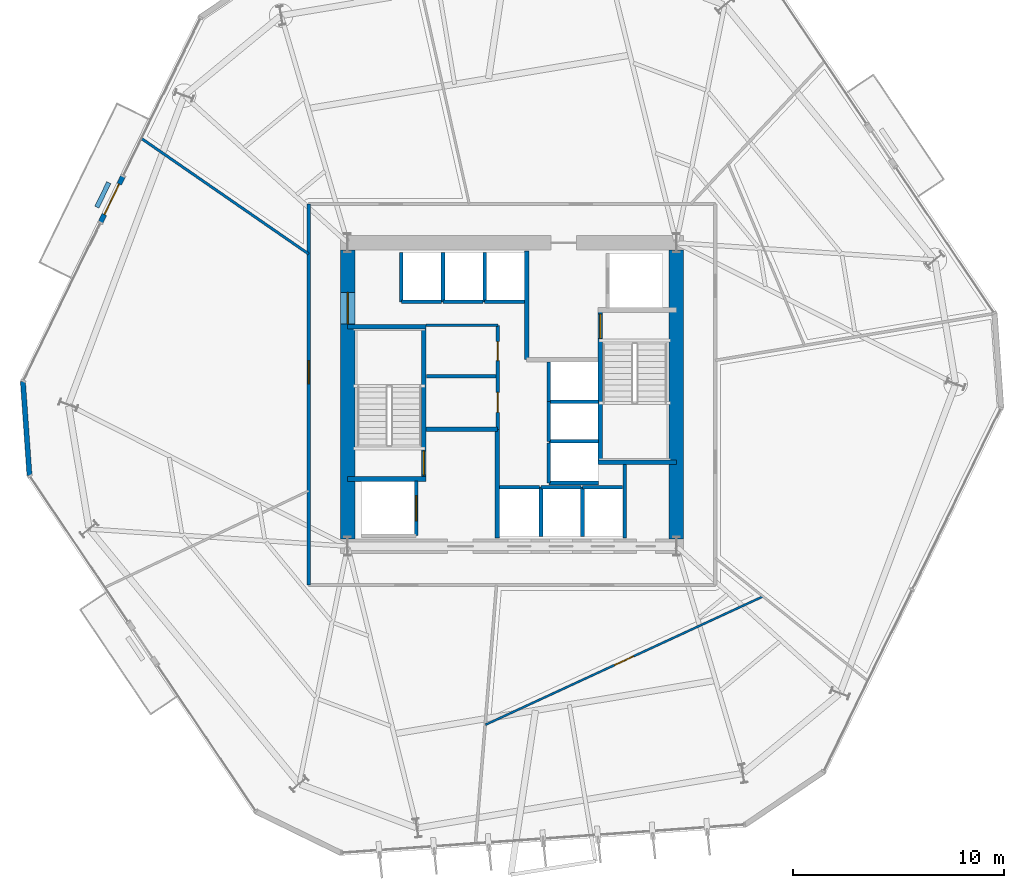
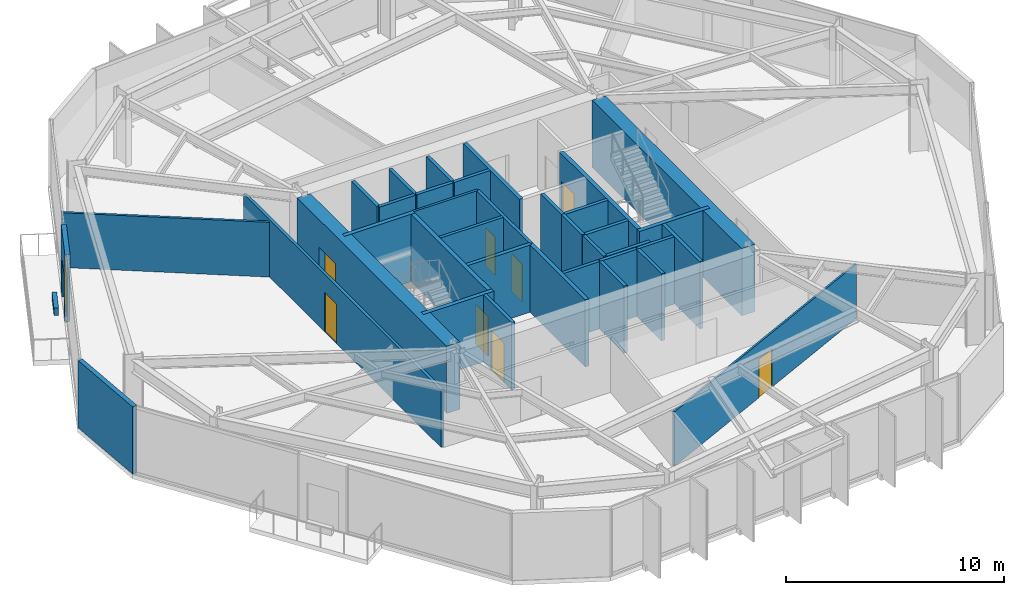
# One storey, part 6 of 10: 38 walls, 9 doors, 9 openings.
"""IFC4 building model written with IfcOpenShell, lengths in metres."""

from ifc_helpers import new_model, si_unit, direction, frame, frame_2d, origin, place, context, subcontext, project, spatial, rectangle, extrude, material, layer, layer_set, type_object, element, fill, save


model = new_model("IFC4")

# Units and contexts
model_context = context("Model", 3, precision=1e-05, world=origin(), true_north=direction((0.0, 1.0)))
body_context = subcontext(model_context, "Body", "Model", "MODEL_VIEW")
ifc_project = project(units=[si_unit("LENGTHUNIT", "METRE"), si_unit("AREAUNIT", "SQUARE_METRE"), si_unit("VOLUMEUNIT", "CUBIC_METRE"), si_unit("PLANEANGLEUNIT", "RADIAN"), si_unit("MASSUNIT", "GRAM", prefix="KILO")], contexts=[model_context])

# Site, building, storey
site_placement = place(None, origin())
site = spatial("IfcSite", under=ifc_project, at=site_placement, CompositionType="ELEMENT")
building_placement = place(site_placement, origin())
building = spatial("IfcBuilding", under=site, at=building_placement, Name="Kranzbogen Civic Tower", CompositionType="ELEMENT")
storey_placement = place(building_placement, frame((0.0, 0.0, 36.0)))
storey = spatial("IfcBuildingStorey", under=building, at=storey_placement, Name="L08", CompositionType="ELEMENT", Elevation=36.0)

# Wall, opening, door
ifc_material_1 = material(Name="Double-Stud Acoustic Gypsum Partition")
ifc_layer_1 = layer(ifc_material_1, 0.14990234375, Name="Double-Stud Acoustic Gypsum Partition")
ifc_layer_set_1 = layer_set([ifc_layer_1], Name="Double-Stud Acoustic Gypsum Partition")
wall_type_1 = type_object("IfcWallType", Name="Acoustic Corridor and Clinical Partition 150 mm", PredefinedType="PARTITIONING", material=ifc_layer_set_1)
wall_1_placement = place(storey_placement, frame((15.35009765625, 15.949951171875, 0.0), z_axis=(0.0, 0.0, 1.0), x_axis=(0.0, 1.0, 0.0)))
wall_1 = element("IfcWall", 1, at=wall_1_placement, inside=storey, type_object=wall_type_1, Name="L08 corridor partition 04", PredefinedType="PARTITIONING", context=body_context, shape_type="SweptSolid", body=[
    extrude(rectangle(XDim=18.10009765625, YDim=0.14990234375, at=frame_2d((9.050048828125, 0.0))), origin(), (0.0, 0.0, 1.0), 3.2099609375),
])
opening_1_placement = place(wall_1_placement, frame((9.55908203125, 0.0, 0.0)))
opening_1 = element("IfcOpeningElement", 2, at=opening_1_placement, cuts=wall_1, Name="Opening D-COR60", PredefinedType="OPENING", context=body_context, shape_type="SweptSolid", body=[
    extrude(rectangle(XDim=1.10009765625, YDim=2.199951171875, at=frame_2d((0.550048828125, 1.10009765625))), frame((0.0, 0.0849609375, 0.0), z_axis=(0.0, -1.0, 0.0), x_axis=(1.0, 0.0, 0.0)), (0.0, 0.0, 1.0), 0.169921875),
])
ifc_material_2 = material(Name="Oak Timber and Fire Core", Category="wood")
door_type_1 = type_object("IfcDoorType", Name="Corridor Acoustic Fire Door 1100x2200", OperationType="NOTDEFINED", PredefinedType="DOOR", material=ifc_material_2)
door_1_placement = place(opening_1_placement, origin())
door_1 = element("IfcDoor", 3, at=door_1_placement, inside=storey, type_object=door_type_1, Name="L08 Operations Security Control Room door", OperationType="SINGLE_SWING_LEFT", OverallHeight=2.199951171875, OverallWidth=1.10009765625, PredefinedType="DOOR", context=body_context, shape_type="SweptSolid", body=[
    extrude(rectangle(XDim=1.10009765625, YDim=2.199951171875, at=frame_2d((0.550048828125, 1.10009765625))), frame((0.0, 0.02490234375, 0.0), z_axis=(0.0, -1.0, 0.0), x_axis=(1.0, 0.0, 0.0)), (0.0, 0.0, 1.0), 0.050048828125),
])
fill(opening_1, door_1)

# Walls
ifc_material_3 = material(Name="Insulated Metal-Stud Gypsum Partition")
ifc_layer_2 = layer(ifc_material_3, 0.125, Name="Insulated Metal-Stud Gypsum Partition")
ifc_layer_set_2 = layer_set([ifc_layer_2], Name="Insulated Metal-Stud Gypsum Partition")
wall_type_2 = type_object("IfcWallType", Name="Acoustic Inter-Room Partition 125 mm", PredefinedType="PARTITIONING", material=ifc_layer_set_2)
wall_2_placement = place(storey_placement, frame((20.919921875, 28.280029296875, 0.0), z_axis=(0.0, 0.0, 1.0), x_axis=(1.0, 0.0, 0.0)))
element("IfcWall", 4, at=wall_2_placement, inside=storey, type_object=wall_type_2, Name="L08 core auxiliary North wall", PredefinedType="PARTITIONING", context=body_context, shape_type="SweptSolid", body=[
    extrude(rectangle(XDim=3.405029296875, YDim=0.125, at=frame_2d((1.70263671875, 0.0))), origin(), (0.0, 0.0, 1.0), 3.760009765625),
])
wall_3_placement = place(storey_placement, frame((15.35009765625, 31.66796875, 0.0), z_axis=(0.0, 0.0, 1.0), x_axis=(-0.822731200349, 0.568430621952, 0.0)))
element("IfcWall", 5, at=wall_3_placement, inside=storey, type_object=wall_type_2, Name="L08 radial room partition 03", PredefinedType="PARTITIONING", context=body_context, shape_type="SweptSolid", body=[
    extrude(rectangle(XDim=9.630126953125, YDim=0.125, at=frame_2d((4.81494140625, 0.0))), origin(), (0.0, 0.0, 1.0), 3.06005859375),
])
ifc_material_4 = material(Name="Architectural Precast Terracotta Concrete C40/50", Category="masonry")
ifc_layer_3 = layer(ifc_material_4, 0.219970703125, Name="Architectural Precast Terracotta Concrete C40/50")
ifc_layer_set_3 = layer_set([ifc_layer_3], Name="Architectural Precast Terracotta Concrete C40/50")
wall_type_3 = type_object("IfcWallType", Name="Architectural Tree Planter Kerb Wall 220 mm", PredefinedType="USERDEFINED", material=ifc_layer_set_3)
wall_4_placement = place(storey_placement, frame((5.863037109375, 35.056884765625, 0.0), z_axis=(0.0, 0.0, 1.0), x_axis=(-0.438627176406, -0.898669127164, 0.0)))
element("IfcWall", 6, at=wall_4_placement, inside=storey, type_object=wall_type_3, Name="L08 landscaped tree balcony planter L08-ST", ObjectType="PLANTER_WALL", PredefinedType="USERDEFINED", context=body_context, shape_type="SweptSolid", body=[
    extrude(rectangle(XDim=1.299560546875, YDim=0.219970703125, at=frame_2d((0.64990234375, 0.0))), origin(), (0.0, 0.0, 1.0), 0.39990234375),
])

# Wall, opening, door
ifc_material_5 = material(Name="Concrete C55/67", Category="concrete")
ifc_layer_4 = layer(ifc_material_5, 0.699951171875, Name="Concrete C55/67")
ifc_layer_set_4 = layer_set([ifc_layer_4], Name="Concrete C55/67")
wall_type_4 = type_object("IfcWallType", Name="Central Core Shear Wall 700 mm", PredefinedType="SHEAR", material=ifc_layer_set_4)
wall_5_placement = place(storey_placement, frame((17.199951171875, 31.85009765625, 0.0), z_axis=(0.0, 0.0, 1.0), x_axis=(0.0, -1.0, 0.0)))
wall_5 = element("IfcWall", 7, at=wall_5_placement, inside=storey, type_object=wall_type_4, Name="L08 central core West shear wall", PredefinedType="SHEAR", context=body_context, shape_type="SweptSolid", body=[
    extrude(rectangle(XDim=13.7001953125, YDim=0.699951171875, at=frame_2d((6.85009765625, 0.0))), origin(), (0.0, 0.0, 1.0), 3.760009765625),
])
opening_2_placement = place(wall_5_placement, frame((2.0, 0.0, 0.0)))
opening_2 = element("IfcOpeningElement", 8, at=opening_2_placement, cuts=wall_5, Name="Opening D-DBL15", PredefinedType="OPENING", context=body_context, shape_type="SweptSolid", body=[
    extrude(rectangle(XDim=1.5, YDim=2.199951171875, at=frame_2d((0.75, 1.10009765625))), frame((0.0, 0.35986328125, 0.0), z_axis=(0.0, -1.0, 0.0), x_axis=(1.0, 0.0, 0.0)), (0.0, 0.0, 1.0), 0.719970703125),
])
ifc_material_6 = material(Name="Anodised Bronze and Glass", Category="glass")
door_type_2 = type_object("IfcDoorType", Name="Civic Lobby Double Door 1500x2200", OperationType="DOUBLE_DOOR_SINGLE_SWING", PredefinedType="DOOR", material=ifc_material_6)
door_2_placement = place(opening_2_placement, origin())
door_2 = element("IfcDoor", 9, at=door_2_placement, inside=storey, type_object=door_type_2, Name="L08 Central Lift Lobby West concourse door", OperationType="DOUBLE_DOOR_SINGLE_SWING", OverallHeight=2.199951171875, OverallWidth=1.5, PredefinedType="DOOR", context=body_context, shape_type="SweptSolid", body=[
    extrude(rectangle(XDim=1.5, YDim=2.199951171875, at=frame_2d((0.75, 1.10009765625))), frame((0.0, 0.02490234375, 0.0), z_axis=(0.0, -1.0, 0.0), x_axis=(1.0, 0.0, 0.0)), (0.0, 0.0, 1.0), 0.050048828125),
])
fill(opening_2, door_2)

# Wall
wall_6_placement = place(storey_placement, frame((32.800048828125, 18.14990234375, 0.0), z_axis=(0.0, 0.0, 1.0), x_axis=(0.0, 1.0, 0.0)))
element("IfcWall", 10, at=wall_6_placement, inside=storey, type_object=wall_type_4, Name="L08 central core East shear wall", PredefinedType="SHEAR", context=body_context, shape_type="SweptSolid", body=[
    extrude(rectangle(XDim=13.7001953125, YDim=0.699951171875, at=frame_2d((6.85009765625, 0.0))), origin(), (0.0, 0.0, 1.0), 3.760009765625),
])

# Wall, opening, door
ifc_material_7 = material(Name="Concrete C45/55", Category="concrete")
ifc_layer_5 = layer(ifc_material_7, 0.219970703125, Name="Concrete C45/55")
ifc_layer_set_5 = layer_set([ifc_layer_5], Name="Concrete C45/55")
wall_type_5 = type_object("IfcWallType", Name="Core Internal Stair Structural Wall 220 mm", PredefinedType="SOLIDWALL", material=ifc_layer_set_5)
wall_7_placement = place(storey_placement, frame((20.81005859375, 20.989990234375, 0.0), z_axis=(0.0, 0.0, 1.0), x_axis=(0.0, 1.0, 0.0)))
wall_7 = element("IfcWall", 11, at=wall_7_placement, inside=storey, type_object=wall_type_5, Name="L08 ST-T1 East structural stair wall", PredefinedType="SOLIDWALL", context=body_context, shape_type="SweptSolid", body=[
    extrude(rectangle(XDim=7.219970703125, YDim=0.219970703125, at=frame_2d((3.60986328125, 0.0))), origin(), (0.0, 0.0, 1.0), 3.760009765625),
])
opening_3_placement = place(wall_7_placement, frame((0.179931640625, 0.0, 0.0)))
opening_3 = element("IfcOpeningElement", 12, at=opening_3_placement, cuts=wall_7, Name="Opening D-ST90", PredefinedType="OPENING", context=body_context, shape_type="SweptSolid", body=[
    extrude(rectangle(XDim=1.14990234375, YDim=2.199951171875, at=frame_2d((0.574951171875, 1.10009765625))), frame((0.0, 0.1201171875, 0.0), z_axis=(0.0, -1.0, 0.0), x_axis=(1.0, 0.0, 0.0)), (0.0, 0.0, 1.0), 0.239990234375),
])
ifc_material_8 = material(Name="Steel S355", Category="steel")
door_type_3 = type_object("IfcDoorType", Name="Pressurized Stair and Lobby Fire Door 1150x2200", OperationType="NOTDEFINED", PredefinedType="DOOR", material=ifc_material_8)
door_3_placement = place(opening_3_placement, origin())
door_3 = element("IfcDoor", 13, at=door_3_placement, inside=storey, type_object=door_type_3, Name="L08 Stair ST-T1 fire door", OperationType="SINGLE_SWING_RIGHT", OverallHeight=2.199951171875, OverallWidth=1.14990234375, PredefinedType="DOOR", context=body_context, shape_type="SweptSolid", body=[
    extrude(rectangle(XDim=1.14990234375, YDim=2.199951171875, at=frame_2d((0.574951171875, 1.10009765625))), frame((0.0, 0.02490234375, 0.0), z_axis=(0.0, -1.0, 0.0), x_axis=(1.0, 0.0, 0.0)), (0.0, 0.0, 1.0), 0.050048828125),
])
fill(opening_3, door_3)

# Walls
for number, where, z_axis, x_axis, name in (
    (14, (17.199951171875, 20.989990234375, 0.0), (0.0, 0.0, 1.0), (1.0, 0.0, 0.0), "L08 ST-T1 South structural stair wall"),
    (15, (17.199951171875, 28.2099609375, 0.0), (0.0, 0.0, 1.0), (1.0, 0.0, 0.0), "L08 ST-T1 North structural stair wall"),
):
    element("IfcWall", number, at=place(storey_placement, frame(where, z_axis=z_axis, x_axis=x_axis)), inside=storey, type_object=wall_type_5, Name=name, PredefinedType="SOLIDWALL", context=body_context, shape_type="SweptSolid", body=[
        extrude(rectangle(XDim=3.719970703125, YDim=0.219970703125, at=frame_2d((1.85986328125, 0.0))), origin(), (0.0, 0.0, 1.0), 3.760009765625),
    ])

# Wall, opening, door
wall_8_placement = place(storey_placement, frame((29.18994140625, 21.7900390625, 0.0), z_axis=(0.0, 0.0, 1.0), x_axis=(0.0, 1.0, 0.0)))
wall_8 = element("IfcWall", 16, at=wall_8_placement, inside=storey, type_object=wall_type_5, Name="L08 ST-T2 West structural stair wall", PredefinedType="SOLIDWALL", context=body_context, shape_type="SweptSolid", body=[
    extrude(rectangle(XDim=7.219970703125, YDim=0.219970703125, at=frame_2d((3.60986328125, 0.0))), origin(), (0.0, 0.0, 1.0), 3.760009765625),
])
opening_4_placement = place(wall_8_placement, frame((5.8798828125, 0.0, 0.0)))
opening_4 = element("IfcOpeningElement", 17, at=opening_4_placement, cuts=wall_8, Name="Opening D-ST90", PredefinedType="OPENING", context=body_context, shape_type="SweptSolid", body=[
    extrude(rectangle(XDim=1.14990234375, YDim=2.199951171875, at=frame_2d((0.574951171875, 1.10009765625))), frame((0.0, 0.1201171875, 0.0), z_axis=(0.0, -1.0, 0.0), x_axis=(1.0, 0.0, 0.0)), (0.0, 0.0, 1.0), 0.239990234375),
])
door_4_placement = place(opening_4_placement, origin())
door_4 = element("IfcDoor", 18, at=door_4_placement, inside=storey, type_object=door_type_3, Name="L08 Stair ST-T2 fire door", OperationType="SINGLE_SWING_LEFT", OverallHeight=2.199951171875, OverallWidth=1.14990234375, PredefinedType="DOOR", context=body_context, shape_type="SweptSolid", body=[
    extrude(rectangle(XDim=1.14990234375, YDim=2.199951171875, at=frame_2d((0.574951171875, 1.10009765625))), frame((0.0, 0.02490234375, 0.0), z_axis=(0.0, -1.0, 0.0), x_axis=(1.0, 0.0, 0.0)), (0.0, 0.0, 1.0), 0.050048828125),
])
fill(opening_4, door_4)

# Wall
wall_9_placement = place(storey_placement, frame((29.080078125, 21.7900390625, 0.0), z_axis=(0.0, 0.0, 1.0), x_axis=(1.0, 0.0, 0.0)))
element("IfcWall", 19, at=wall_9_placement, inside=storey, type_object=wall_type_5, Name="L08 ST-T2 South structural stair wall", PredefinedType="SOLIDWALL", context=body_context, shape_type="SweptSolid", body=[
    extrude(rectangle(XDim=3.719970703125, YDim=0.219970703125, at=frame_2d((1.85986328125, 0.0))), origin(), (0.0, 0.0, 1.0), 3.760009765625),
])

# Wall, opening, door
ifc_material_9 = material(Name="Demountable Aluminium and Gypsum Partition", Category="aluminium")
ifc_layer_6 = layer(ifc_material_9, 0.10009765625, Name="Demountable Aluminium and Gypsum Partition")
ifc_layer_set_6 = layer_set([ifc_layer_6], Name="Demountable Aluminium and Gypsum Partition")
wall_type_6 = type_object("IfcWallType", Name="Demountable Office Partition 100 mm", PredefinedType="MOVABLE", material=ifc_layer_set_6)
wall_10_placement = place(storey_placement, frame((23.741943359375, 9.325927734375, 0.0), z_axis=(0.0, 0.0, 1.0), x_axis=(0.907733462567, 0.419547328601, 0.0)))
wall_10 = element("IfcWall", 20, at=wall_10_placement, inside=storey, type_object=wall_type_6, Name="L08 suite chord partition 01", PredefinedType="MOVABLE", context=body_context, shape_type="SweptSolid", body=[
    extrude(rectangle(XDim=14.494384765625, YDim=0.10009765625, at=frame_2d((7.2470703125, 0.0))), origin(), (0.0, 0.0, 1.0), 3.050048828125),
])
opening_5_placement = place(wall_10_placement, frame((6.7470703125, 0.0, 0.0)))
opening_5 = element("IfcOpeningElement", 21, at=opening_5_placement, cuts=wall_10, Name="Opening D-OFC10", PredefinedType="OPENING", context=body_context, shape_type="SweptSolid", body=[
    extrude(rectangle(XDim=1.0, YDim=2.14990234375, at=frame_2d((0.5, 1.074951171875))), frame((0.0, 0.06005859375, 0.0), z_axis=(0.0, -1.0, 0.0), x_axis=(1.0, 0.0, 0.0)), (0.0, 0.0, 1.0), 0.1201171875),
])
ifc_material_10 = material(Name="Oak Timber Veneer", Category="wood")
door_type_4 = type_object("IfcDoorType", Name="Standard Office Acoustic Door 1000x2150", OperationType="NOTDEFINED", PredefinedType="DOOR", material=ifc_material_10)
door_5_placement = place(opening_5_placement, origin())
door_5 = element("IfcDoor", 22, at=door_5_placement, inside=storey, type_object=door_type_4, Name="L08 Legal Counsel Office door", OperationType="SINGLE_SWING_LEFT", OverallHeight=2.14990234375, OverallWidth=1.0, PredefinedType="DOOR", context=body_context, shape_type="SweptSolid", body=[
    extrude(rectangle(XDim=1.0, YDim=2.14990234375, at=frame_2d((0.5, 1.074951171875))), frame((0.0, 0.02490234375, 0.0), z_axis=(0.0, -1.0, 0.0), x_axis=(1.0, 0.0, 0.0)), (0.0, 0.0, 1.0), 0.050048828125),
])
fill(opening_5, door_5)

# Walls
ifc_material_11 = material(Name="Gypsum Fireboard and Concrete Block", Category="concrete")
ifc_layer_7 = layer(ifc_material_11, 0.199951171875, Name="Gypsum Fireboard and Concrete Block")
ifc_layer_set_7 = layer_set([ifc_layer_7], Name="Gypsum Fireboard and Concrete Block")
wall_type_7 = type_object("IfcWallType", Name="Fire-Rated Exit Passageway and Stair Wall 200 mm", PredefinedType="PARTITIONING", material=ifc_layer_set_7)
wall_11_placement = place(storey_placement, frame((24.300048828125, 18.199951171875, 0.0), z_axis=(0.0, 0.0, 1.0), x_axis=(0.0, 1.0, 0.0)))
element("IfcWall", 23, at=wall_11_placement, inside=storey, type_object=wall_type_7, Name="L08 West firefighting lobby East wall", PredefinedType="PARTITIONING", context=body_context, shape_type="SweptSolid", body=[
    extrude(rectangle(XDim=5.150146484375, YDim=0.199951171875, at=frame_2d((2.5751953125, 0.0))), origin(), (0.0, 0.0, 1.0), 3.760009765625),
])
wall_12_placement = place(storey_placement, frame((20.919921875, 23.35009765625, 0.0), z_axis=(0.0, 0.0, 1.0), x_axis=(1.0, 0.0, 0.0)))
element("IfcWall", 24, at=wall_12_placement, inside=storey, type_object=wall_type_7, Name="L08 West firefighting lobby North wall", PredefinedType="PARTITIONING", context=body_context, shape_type="SweptSolid", body=[
    extrude(rectangle(XDim=3.380126953125, YDim=0.199951171875, at=frame_2d((1.68994140625, 0.0))), origin(), (0.0, 0.0, 1.0), 3.760009765625),
])
wall_13_placement = place(storey_placement, frame((25.699951171875, 26.64990234375, 0.0), z_axis=(0.0, 0.0, 1.0), x_axis=(0.0, 1.0, 0.0)))
element("IfcWall", 25, at=wall_13_placement, inside=storey, type_object=wall_type_7, Name="L08 East firefighting lobby West wall", PredefinedType="PARTITIONING", context=body_context, shape_type="SweptSolid", body=[
    extrude(rectangle(XDim=5.150146484375, YDim=0.199951171875, at=frame_2d((2.5751953125, 0.0))), origin(), (0.0, 0.0, 1.0), 3.760009765625),
])
ifc_material_12 = material(Name="Gypsum Fireboard Shaftliner")
ifc_layer_8 = layer(ifc_material_12, 0.175048828125, Name="Gypsum Fireboard Shaftliner")
ifc_layer_set_8 = layer_set([ifc_layer_8], Name="Gypsum Fireboard Shaftliner")
wall_type_8 = type_object("IfcWallType", Name="Fire-Rated Lift and Service Shaft Wall 175 mm", PredefinedType="PARTITIONING", material=ifc_layer_set_8)
wall_14_placement = place(storey_placement, frame((30.35009765625, 18.199951171875, 0.0), z_axis=(0.0, 0.0, 1.0), x_axis=(0.0, 1.0, 0.0)))
element("IfcWall", 26, at=wall_14_placement, inside=storey, type_object=wall_type_8, Name="L08 East core riser West wall", PredefinedType="PARTITIONING", context=body_context, shape_type="SweptSolid", body=[
    extrude(rectangle(XDim=3.47998046875, YDim=0.175048828125, at=frame_2d((1.739990234375, 0.0))), origin(), (0.0, 0.0, 1.0), 3.760009765625),
])
wall_15_placement = place(storey_placement, frame((24.39990234375, 20.60009765625, 0.0), z_axis=(0.0, 0.0, 1.0), x_axis=(1.0, 0.0, 0.0)))
element("IfcWall", 27, at=wall_15_placement, inside=storey, type_object=wall_type_8, Name="L08 lift LP-01 rear wall", PredefinedType="PARTITIONING", context=body_context, shape_type="SweptSolid", body=[
    extrude(rectangle(XDim=1.900146484375, YDim=0.175048828125, at=frame_2d((0.9501953125, 0.0))), origin(), (0.0, 0.0, 1.0), 3.760009765625),
])
wall_16_placement = place(storey_placement, frame((26.375, 20.60009765625, 0.0), z_axis=(0.0, 0.0, 1.0), x_axis=(1.0, 0.0, 0.0)))
element("IfcWall", 28, at=wall_16_placement, inside=storey, type_object=wall_type_8, Name="L08 lift LP-02 rear wall", PredefinedType="PARTITIONING", context=body_context, shape_type="SweptSolid", body=[
    extrude(rectangle(XDim=1.89990234375, YDim=0.175048828125, at=frame_2d((0.949951171875, 0.0))), origin(), (0.0, 0.0, 1.0), 3.760009765625),
])
wall_17_placement = place(storey_placement, frame((26.375, 18.25, 0.0), z_axis=(0.0, 0.0, 1.0), x_axis=(0.0, 1.0, 0.0)))
element("IfcWall", 29, at=wall_17_placement, inside=storey, type_object=wall_type_8, Name="L08 lift LP-02 side wall", PredefinedType="PARTITIONING", context=body_context, shape_type="SweptSolid", body=[
    extrude(rectangle(XDim=2.35009765625, YDim=0.175048828125, at=frame_2d((1.175048828125, 0.0))), origin(), (0.0, 0.0, 1.0), 3.760009765625),
])
wall_18_placement = place(storey_placement, frame((28.35009765625, 20.60009765625, 0.0), z_axis=(0.0, 0.0, 1.0), x_axis=(1.0, 0.0, 0.0)))
element("IfcWall", 30, at=wall_18_placement, inside=storey, type_object=wall_type_8, Name="L08 lift LP-03 rear wall", PredefinedType="PARTITIONING", context=body_context, shape_type="SweptSolid", body=[
    extrude(rectangle(XDim=1.89990234375, YDim=0.175048828125, at=frame_2d((0.949951171875, 0.0))), origin(), (0.0, 0.0, 1.0), 3.760009765625),
])
wall_19_placement = place(storey_placement, frame((28.35009765625, 18.25, 0.0), z_axis=(0.0, 0.0, 1.0), x_axis=(0.0, 1.0, 0.0)))
element("IfcWall", 31, at=wall_19_placement, inside=storey, type_object=wall_type_8, Name="L08 lift LP-03 side wall", PredefinedType="PARTITIONING", context=body_context, shape_type="SweptSolid", body=[
    extrude(rectangle(XDim=2.35009765625, YDim=0.175048828125, at=frame_2d((1.175048828125, 0.0))), origin(), (0.0, 0.0, 1.0), 3.760009765625),
])
wall_20_placement = place(storey_placement, frame((19.75, 29.39990234375, 0.0), z_axis=(0.0, 0.0, 1.0), x_axis=(1.0, 0.0, 0.0)))
element("IfcWall", 32, at=wall_20_placement, inside=storey, type_object=wall_type_8, Name="L08 lift MP-01 rear wall", PredefinedType="PARTITIONING", context=body_context, shape_type="SweptSolid", body=[
    extrude(rectangle(XDim=1.89990234375, YDim=0.175048828125, at=frame_2d((0.949951171875, 0.0))), origin(), (0.0, 0.0, 1.0), 3.760009765625),
])
wall_21_placement = place(storey_placement, frame((19.75, 29.39990234375, 0.0), z_axis=(0.0, 0.0, 1.0), x_axis=(0.0, 1.0, 0.0)))
element("IfcWall", 33, at=wall_21_placement, inside=storey, type_object=wall_type_8, Name="L08 lift MP-01 side wall", PredefinedType="PARTITIONING", context=body_context, shape_type="SweptSolid", body=[
    extrude(rectangle(XDim=2.35009765625, YDim=0.175048828125, at=frame_2d((1.175048828125, 0.0))), origin(), (0.0, 0.0, 1.0), 3.760009765625),
])
wall_22_placement = place(storey_placement, frame((21.72509765625, 29.39990234375, 0.0), z_axis=(0.0, 0.0, 1.0), x_axis=(1.0, 0.0, 0.0)))
element("IfcWall", 34, at=wall_22_placement, inside=storey, type_object=wall_type_8, Name="L08 lift MP-02 rear wall", PredefinedType="PARTITIONING", context=body_context, shape_type="SweptSolid", body=[
    extrude(rectangle(XDim=1.89990234375, YDim=0.175048828125, at=frame_2d((0.949951171875, 0.0))), origin(), (0.0, 0.0, 1.0), 3.760009765625),
])
wall_23_placement = place(storey_placement, frame((21.72509765625, 29.39990234375, 0.0), z_axis=(0.0, 0.0, 1.0), x_axis=(0.0, 1.0, 0.0)))
element("IfcWall", 35, at=wall_23_placement, inside=storey, type_object=wall_type_8, Name="L08 lift MP-02 side wall", PredefinedType="PARTITIONING", context=body_context, shape_type="SweptSolid", body=[
    extrude(rectangle(XDim=2.35009765625, YDim=0.175048828125, at=frame_2d((1.175048828125, 0.0))), origin(), (0.0, 0.0, 1.0), 3.760009765625),
])
wall_24_placement = place(storey_placement, frame((23.699951171875, 29.39990234375, 0.0), z_axis=(0.0, 0.0, 1.0), x_axis=(1.0, 0.0, 0.0)))
element("IfcWall", 36, at=wall_24_placement, inside=storey, type_object=wall_type_8, Name="L08 lift MP-03 rear wall", PredefinedType="PARTITIONING", context=body_context, shape_type="SweptSolid", body=[
    extrude(rectangle(XDim=1.900146484375, YDim=0.175048828125, at=frame_2d((0.9501953125, 0.0))), origin(), (0.0, 0.0, 1.0), 3.760009765625),
])
wall_25_placement = place(storey_placement, frame((23.699951171875, 29.39990234375, 0.0), z_axis=(0.0, 0.0, 1.0), x_axis=(0.0, 1.0, 0.0)))
element("IfcWall", 37, at=wall_25_placement, inside=storey, type_object=wall_type_8, Name="L08 lift MP-03 side wall", PredefinedType="PARTITIONING", context=body_context, shape_type="SweptSolid", body=[
    extrude(rectangle(XDim=2.35009765625, YDim=0.175048828125, at=frame_2d((1.175048828125, 0.0))), origin(), (0.0, 0.0, 1.0), 3.760009765625),
])
wall_26_placement = place(storey_placement, frame((26.75, 20.800048828125, 0.0), z_axis=(0.0, 0.0, 1.0), x_axis=(0.0, 1.0, 0.0)))
element("IfcWall", 38, at=wall_26_placement, inside=storey, type_object=wall_type_8, Name="L08 lift HP-01 landing wall", PredefinedType="PARTITIONING", context=body_context, shape_type="SweptSolid", body=[
    extrude(rectangle(XDim=1.89990234375, YDim=0.175048828125, at=frame_2d((0.949951171875, 0.0))), origin(), (0.0, 0.0, 1.0), 3.760009765625),
])
wall_27_placement = place(storey_placement, frame((26.75, 20.800048828125, 0.0), z_axis=(0.0, 0.0, 1.0), x_axis=(1.0, 0.0, 0.0)))
element("IfcWall", 39, at=wall_27_placement, inside=storey, type_object=wall_type_8, Name="L08 lift HP-01 side wall", PredefinedType="PARTITIONING", context=body_context, shape_type="SweptSolid", body=[
    extrude(rectangle(XDim=2.35009765625, YDim=0.175048828125, at=frame_2d((1.175048828125, 0.0))), origin(), (0.0, 0.0, 1.0), 3.760009765625),
])
wall_28_placement = place(storey_placement, frame((26.75, 22.77490234375, 0.0), z_axis=(0.0, 0.0, 1.0), x_axis=(0.0, 1.0, 0.0)))
element("IfcWall", 40, at=wall_28_placement, inside=storey, type_object=wall_type_8, Name="L08 lift HP-02 landing wall", PredefinedType="PARTITIONING", context=body_context, shape_type="SweptSolid", body=[
    extrude(rectangle(XDim=1.900146484375, YDim=0.175048828125, at=frame_2d((0.9501953125, 0.0))), origin(), (0.0, 0.0, 1.0), 3.760009765625),
])
wall_29_placement = place(storey_placement, frame((26.75, 22.77490234375, 0.0), z_axis=(0.0, 0.0, 1.0), x_axis=(1.0, 0.0, 0.0)))
element("IfcWall", 41, at=wall_29_placement, inside=storey, type_object=wall_type_8, Name="L08 lift HP-02 side wall", PredefinedType="PARTITIONING", context=body_context, shape_type="SweptSolid", body=[
    extrude(rectangle(XDim=2.35009765625, YDim=0.175048828125, at=frame_2d((1.175048828125, 0.0))), origin(), (0.0, 0.0, 1.0), 3.760009765625),
])
wall_30_placement = place(storey_placement, frame((26.75, 24.64990234375, 0.0), z_axis=(0.0, 0.0, 1.0), x_axis=(0.0, 1.0, 0.0)))
element("IfcWall", 42, at=wall_30_placement, inside=storey, type_object=wall_type_8, Name="L08 lift HP-03 landing wall", PredefinedType="PARTITIONING", context=body_context, shape_type="SweptSolid", body=[
    extrude(rectangle(XDim=1.900146484375, YDim=0.175048828125, at=frame_2d((0.9501953125, 0.0))), origin(), (0.0, 0.0, 1.0), 3.760009765625),
])
wall_31_placement = place(storey_placement, frame((26.75, 24.64990234375, 0.0), z_axis=(0.0, 0.0, 1.0), x_axis=(1.0, 0.0, 0.0)))
element("IfcWall", 43, at=wall_31_placement, inside=storey, type_object=wall_type_8, Name="L08 lift HP-03 side wall", PredefinedType="PARTITIONING", context=body_context, shape_type="SweptSolid", body=[
    extrude(rectangle(XDim=2.35009765625, YDim=0.175048828125, at=frame_2d((1.175048828125, 0.0))), origin(), (0.0, 0.0, 1.0), 3.760009765625),
])

# Wall, opening, door
wall_32_placement = place(storey_placement, frame((20.449951171875, 18.300048828125, 0.0), z_axis=(0.0, 0.0, 1.0), x_axis=(0.0, 1.0, 0.0)))
wall_32 = element("IfcWall", 44, at=wall_32_placement, inside=storey, type_object=wall_type_8, Name="L08 lift FF-01 landing wall", PredefinedType="PARTITIONING", context=body_context, shape_type="SweptSolid", body=[
    extrude(rectangle(XDim=2.599853515625, YDim=0.175048828125, at=frame_2d((1.2998046875, 0.0))), origin(), (0.0, 0.0, 1.0), 3.760009765625),
])
opening_6_placement = place(wall_32_placement, frame((0.699951171875, 0.0, 0.0)))
opening_6 = element("IfcOpeningElement", 45, at=opening_6_placement, cuts=wall_32, Name="Opening LD-FF-01", PredefinedType="OPENING", context=body_context, shape_type="SweptSolid", body=[
    extrude(rectangle(XDim=1.199951171875, YDim=2.199951171875, at=frame_2d((0.60009765625, 1.10009765625))), frame((0.0, 0.09765625, 0.0), z_axis=(0.0, -1.0, 0.0), x_axis=(1.0, 0.0, 0.0)), (0.0, 0.0, 1.0), 0.195068359375),
])
ifc_material_13 = material(Name="Pale Anodised Aluminium", Category="aluminium")
door_type_5 = type_object("IfcDoorType", Name="Firefighting and Stretcher Lift Sliding Landing Door 1200x2200", OperationType="DOUBLE_DOOR_SLIDING", PredefinedType="DOOR", material=ifc_material_13)
door_6_placement = place(opening_6_placement, origin())
door_6 = element("IfcDoor", 46, at=door_6_placement, inside=storey, type_object=door_type_5, Name="L08 lift FF-01 sliding landing door", OperationType="DOUBLE_DOOR_SLIDING", OverallHeight=2.199951171875, OverallWidth=1.199951171875, PredefinedType="DOOR", context=body_context, shape_type="SweptSolid", body=[
    extrude(rectangle(XDim=1.199951171875, YDim=2.199951171875, at=frame_2d((0.60009765625, 1.10009765625))), frame((0.0, 0.02490234375, 0.0), z_axis=(0.0, -1.0, 0.0), x_axis=(1.0, 0.0, 0.0)), (0.0, 0.0, 1.0), 0.050048828125),
])
fill(opening_6, door_6)

ifc_layer_9 = layer(ifc_material_13, 0.239990234375, Name="Pale Anodised Aluminium")
ifc_layer_set_9 = layer_set([ifc_layer_9], Name="Pale Anodised Aluminium")
wall_type_9 = type_object("IfcWallType", Name="Insulated Aluminium Facade Portal Wall 240 mm", PredefinedType="STANDARD", material=ifc_layer_set_9)
wall_33_placement = place(storey_placement, frame((6.530029296875, 35.343017578125, 0.0), z_axis=(0.0, 0.0, 1.0), x_axis=(-0.438361496965, -0.898798752769, 0.0)))
wall_33 = element("IfcWall", 47, at=wall_33_placement, inside=storey, type_object=wall_type_9, Name="L08 exterior entrance portal wall 1", PredefinedType="STANDARD", context=body_context, shape_type="SweptSolid", body=[
    extrude(rectangle(XDim=2.39990234375, YDim=0.239990234375, at=frame_2d((1.199951171875, 0.0))), origin(), (0.0, 0.0, 1.0), 3.760009765625),
])
opening_7_placement = place(wall_33_placement, frame((0.39990234375, 0.0, 0.0)))
opening_7 = element("IfcOpeningElement", 48, at=opening_7_placement, cuts=wall_33, Name="Opening D-TER", PredefinedType="OPENING", context=body_context, shape_type="SweptSolid", body=[
    extrude(rectangle(XDim=1.60009765625, YDim=2.25, at=frame_2d((0.800048828125, 1.125))), frame((0.0, 0.1298828125, 0.0), z_axis=(0.0, -1.0, 0.0), x_axis=(1.0, 0.0, 0.0)), (0.0, 0.0, 1.0), 0.260009765625),
])
ifc_material_14 = material(Name="Anodised Bronze and Triple Glass", Category="glass")
door_type_6 = type_object("IfcDoorType", Name="Glazed Terrace and Balcony Double Door 1600x2250", OperationType="DOUBLE_DOOR_SINGLE_SWING", PredefinedType="DOOR", material=ifc_material_14)
door_7_placement = place(opening_7_placement, frame((1.60009765625, 0.0, 0.0), z_axis=(0.0, 0.0, 1.0), x_axis=(-1.0, 0.0, 0.0)))
door_7 = element("IfcDoor", 49, at=door_7_placement, inside=storey, type_object=door_type_6, Name="L08 spiral terrace access door L08-ST", OperationType="DOUBLE_DOOR_SINGLE_SWING", OverallHeight=2.25, OverallWidth=1.60009765625, PredefinedType="DOOR", context=body_context, shape_type="SweptSolid", body=[
    extrude(rectangle(XDim=1.60009765625, YDim=2.25, at=frame_2d((0.800048828125, 1.125))), frame((0.0, 0.02490234375, 0.0), z_axis=(0.0, -1.0, 0.0), x_axis=(1.0, 0.0, 0.0)), (0.0, 0.0, 1.0), 0.050048828125),
])
fill(opening_7, door_7)

# Wall
wall_34_placement = place(storey_placement, frame((1.787109375, 25.617919921875, 0.0), z_axis=(0.0, 0.0, 1.0), x_axis=(0.069757428916, -0.997563983467, 0.0)))
element("IfcWall", 50, at=wall_34_placement, inside=storey, type_object=wall_type_9, Name="L08 chamfered corner facade spandrel 3", PredefinedType="STANDARD", context=body_context, shape_type="SweptSolid", body=[
    extrude(rectangle(XDim=4.472900390625, YDim=0.239990234375, at=frame_2d((2.236328125, 0.0))), origin(), (0.0, 0.0, 1.0), 3.760009765625),
])

# Wall, openings, doors
ifc_material_15 = material(Name="Moisture-Resistant Gypsum Assembly")
ifc_layer_10 = layer(ifc_material_15, 0.159912109375, Name="Moisture-Resistant Gypsum Assembly")
ifc_layer_set_10 = layer_set([ifc_layer_10], Name="Moisture-Resistant Gypsum Assembly")
wall_type_10 = type_object("IfcWallType", Name="Sanitary and Plumbing Wet Wall 160 mm", PredefinedType="PLUMBINGWALL", material=ifc_layer_set_10)
wall_35_placement = place(storey_placement, frame((24.324951171875, 23.35009765625, 0.0), z_axis=(0.0, 0.0, 1.0), x_axis=(0.0, 1.0, 0.0)))
wall_35 = element("IfcWall", 51, at=wall_35_placement, inside=storey, type_object=wall_type_10, Name="L08 core auxiliary East wall", PredefinedType="PLUMBINGWALL", context=body_context, shape_type="SweptSolid", body=[
    extrude(rectangle(XDim=4.929931640625, YDim=0.159912109375, at=frame_2d((2.46484375, 0.0))), origin(), (0.0, 0.0, 1.0), 3.760009765625),
])
opening_8_placement = place(wall_35_placement, frame((0.800048828125, 0.0, 0.0)))
opening_8 = element("IfcOpeningElement", 52, at=opening_8_placement, cuts=wall_35, Name="Opening D-AWC95", PredefinedType="OPENING", context=body_context, shape_type="SweptSolid", body=[
    extrude(rectangle(XDim=0.949951171875, YDim=2.10009765625, at=frame_2d((0.47509765625, 1.050048828125))), frame((0.0, 0.08984375, 0.0), z_axis=(0.0, -1.0, 0.0), x_axis=(1.0, 0.0, 0.0)), (0.0, 0.0, 1.0), 0.179931640625),
])
opening_9_placement = place(wall_35_placement, frame((3.260009765625, 0.0, 0.0)))
opening_9 = element("IfcOpeningElement", 53, at=opening_9_placement, cuts=wall_35, Name="Opening D-WC90", PredefinedType="OPENING", context=body_context, shape_type="SweptSolid", body=[
    extrude(rectangle(XDim=0.89990234375, YDim=2.10009765625, at=frame_2d((0.449951171875, 1.050048828125))), frame((0.0, 0.08984375, 0.0), z_axis=(0.0, -1.0, 0.0), x_axis=(1.0, 0.0, 0.0)), (0.0, 0.0, 1.0), 0.179931640625),
])
ifc_material_16 = material(Name="Moisture-Resistant Laminate")
door_type_7 = type_object("IfcDoorType", Name="Accessible Restroom Door 950x2100", OperationType="NOTDEFINED", PredefinedType="DOOR", material=ifc_material_16)
door_8_placement = place(opening_8_placement, origin())
door_8 = element("IfcDoor", 54, at=door_8_placement, inside=storey, type_object=door_type_7, Name="L08 Accessible Restroom door", OperationType="SINGLE_SWING_RIGHT", OverallHeight=2.10009765625, OverallWidth=0.949951171875, PredefinedType="DOOR", context=body_context, shape_type="SweptSolid", body=[
    extrude(rectangle(XDim=0.949951171875, YDim=2.10009765625, at=frame_2d((0.47509765625, 1.050048828125))), frame((0.0, 0.02490234375, 0.0), z_axis=(0.0, -1.0, 0.0), x_axis=(1.0, 0.0, 0.0)), (0.0, 0.0, 1.0), 0.050048828125),
])
fill(opening_8, door_8)
door_type_8 = type_object("IfcDoorType", Name="Standard Restroom and Store Door 900x2100", OperationType="NOTDEFINED", PredefinedType="DOOR", material=ifc_material_16)
door_9_placement = place(opening_9_placement, origin())
door_9 = element("IfcDoor", 55, at=door_9_placement, inside=storey, type_object=door_type_8, Name="L08 Staff Restroom door", OperationType="SINGLE_SWING_LEFT", OverallHeight=2.10009765625, OverallWidth=0.89990234375, PredefinedType="DOOR", context=body_context, shape_type="SweptSolid", body=[
    extrude(rectangle(XDim=0.89990234375, YDim=2.10009765625, at=frame_2d((0.449951171875, 1.050048828125))), frame((0.0, 0.02490234375, 0.0), z_axis=(0.0, -1.0, 0.0), x_axis=(1.0, 0.0, 0.0)), (0.0, 0.0, 1.0), 0.050048828125),
])
fill(opening_9, door_9)

# Wall
wall_36_placement = place(storey_placement, frame((20.949951171875, 25.860107421875, 0.0), z_axis=(0.0, 0.0, 1.0), x_axis=(1.0, 0.0, 0.0)))
element("IfcWall", 56, at=wall_36_placement, inside=storey, type_object=wall_type_10, Name="L08 core auxiliary partition 1", PredefinedType="PLUMBINGWALL", context=body_context, shape_type="SweptSolid", body=[
    extrude(rectangle(XDim=3.300048828125, YDim=0.159912109375, at=frame_2d((1.64990234375, 0.0))), origin(), (0.0, 0.0, 1.0), 3.760009765625),
])

save(model, "model.ifc")
